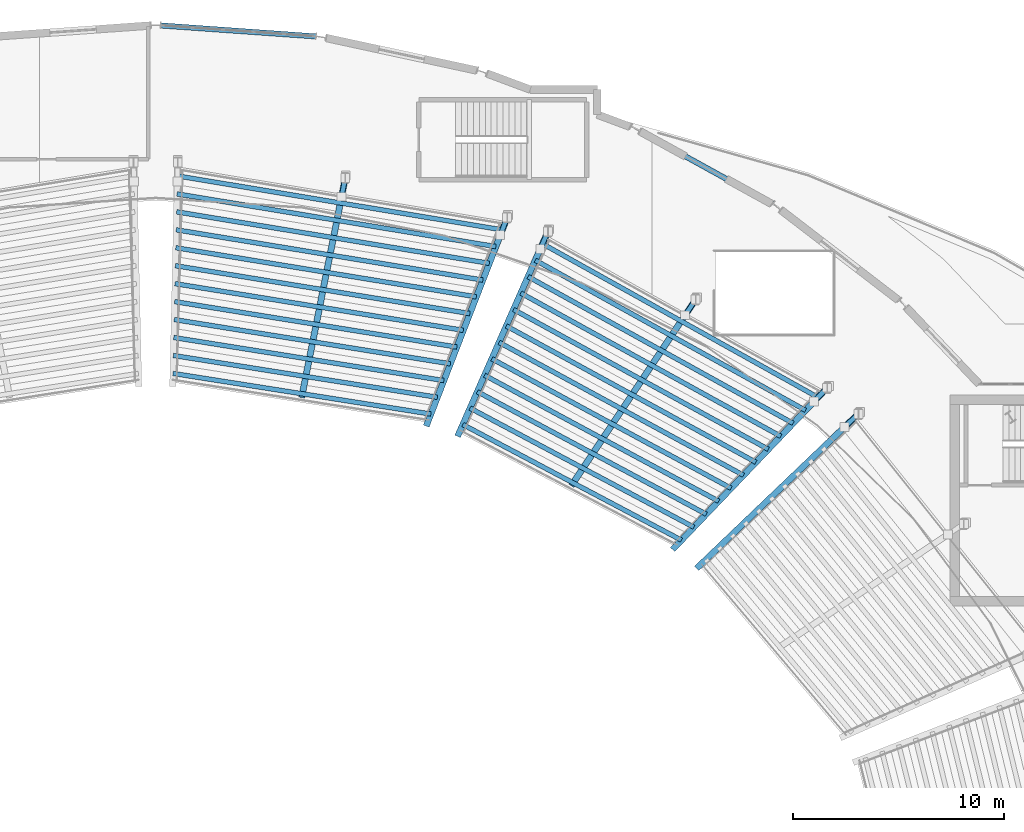
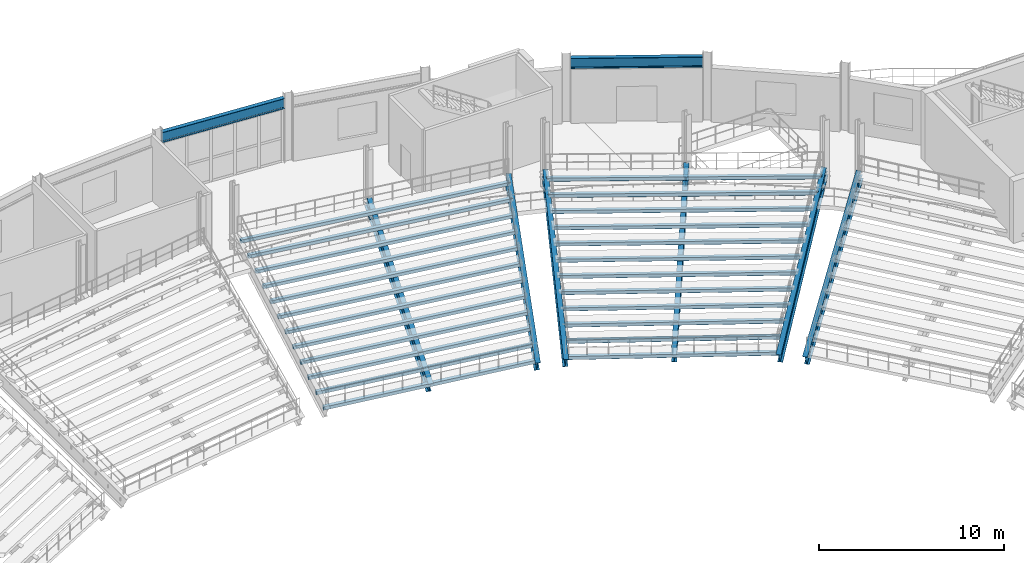
# One storey, part 38 of 81: 38 beams.
"""IFC4 building model written with IfcOpenShell, lengths in metres."""

from ifc_helpers import new_model, si_unit, direction, frame, origin, origin_2d, place, context, subcontext, project, spatial, rectangle, i_section, extrude, material, material_profile, profile_set, type_object, element, save


model = new_model("IFC4")

# Units and contexts
model_context = context("Model", 3, precision=1e-05, world=origin(), true_north=direction((0.0, 1.0)))
body_context = subcontext(model_context, "Body", "Model", "MODEL_VIEW")
ifc_project = project(units=[si_unit("LENGTHUNIT", "METRE"), si_unit("AREAUNIT", "SQUARE_METRE"), si_unit("VOLUMEUNIT", "CUBIC_METRE"), si_unit("PLANEANGLEUNIT", "RADIAN"), si_unit("MASSUNIT", "GRAM", prefix="KILO")], contexts=[model_context])

# Site, building, storey
site_placement = place(None, origin())
site = spatial("IfcSite", under=ifc_project, at=site_placement, CompositionType="ELEMENT")
building_placement = place(site_placement, origin())
building = spatial("IfcBuilding", under=site, at=building_placement, Name="Glasvene Arena", CompositionType="ELEMENT")
storey_placement = place(building_placement, frame((0.0, 0.0, 15.0)))
storey = spatial("IfcBuildingStorey", under=building, at=storey_placement, Name="L03", CompositionType="ELEMENT", Elevation=15.0)

# Beams
ifc_material_1 = material(Name="Steel S355J2", Category="steel")
ifc_material_profile_1 = material_profile(ifc_material_1, i_section(OverallWidth=0.228271484375, OverallDepth=0.607666015625, WebThickness=0.010986328125, FlangeThickness=0.017333984375, FilletRadius=0.0126953125, at=origin_2d()), Name="UKB 610x229x113")
ifc_profile_set_1 = profile_set([ifc_material_profile_1], Name="Steel S355J2")
beam_type_1 = type_object("IfcBeamType", Name="BM-GIRD-610", PredefinedType="BEAM", material=ifc_profile_set_1)
for number, where, z_axis, x_axis, name in (
    (1, (124.605712890625, 98.977294921875, 0.60498046875), (0.723078356625, 0.690766016955, 0.0), (-0.690766016955, 0.723078356625, 0.0), "Upper raker rear seat haunch girder RKS-02-3"),
    (2, (123.15869140625, 100.18359375, 0.60498046875), (0.691010672315, 0.722844555037, 0.0), (-0.722844555037, 0.691010672315, 0.0), "Upper raker rear seat haunch girder RKS-03-1"),
    (3, (117.05615234375, 104.26318359375, 0.544921875), (0.555528436112, 0.831497538584, 0.0), (-0.831497538584, 0.555528436112, 0.0), "Upper raker rear seat haunch girder RKS-03-2"),
    (4, (110.199951171875, 107.40234375, 0.60498046875), (0.403516463423, 0.914972384144, 0.0), (-0.914972384144, 0.403516463423, 0.0), "Upper raker rear seat haunch girder RKS-03-3"),
    (5, (108.30908203125, 108.055419921875, 0.60498046875), (0.361672228488, 0.932305314337, 0.0), (-0.932305314337, 0.361672228488, 0.0), "Upper raker rear seat haunch girder RKS-04-1"),
    (6, (100.798583984375, 109.87744140625, 0.544921875), (0.195057426987, 0.980791823058, 0.0), (-0.980791823058, 0.195057426987, 0.0), "Upper raker rear seat haunch girder RKS-04-2"),
):
    element("IfcBeam", number, at=place(storey_placement, frame(where, z_axis=z_axis, x_axis=x_axis)), inside=storey, type_object=beam_type_1, Name=name, PredefinedType="BEAM", context=body_context, shape_type="SweptSolid", body=[
        extrude(i_section(OverallWidth=0.228271484375, OverallDepth=0.607666015625, WebThickness=0.010986328125, FlangeThickness=0.017333984375, FilletRadius=0.0126953125, at=origin_2d()), origin(), (0.0, 0.0, 1.0), 1.02001953125),
    ])
ifc_material_profile_2 = material_profile(ifc_material_1, i_section(OverallWidth=0.253662109375, OverallDepth=0.68359375, WebThickness=0.012451171875, FlangeThickness=0.01904296875, FilletRadius=0.01513671875, at=origin_2d()), Name="UKB 686x254x140")
ifc_profile_set_2 = profile_set([ifc_material_profile_2], Name="Steel S355J2")
beam_type_2 = type_object("IfcBeamType", Name="BM-GIRD-686", PredefinedType="BEAM", material=ifc_profile_set_2)
beam_1_placement = place(storey_placement, frame((121.17919921875, 109.521728515625, 3.908203125), z_axis=(-0.875653765723, 0.482939419156, 0.0), x_axis=(-0.482939419156, -0.875653765723, 0.0)))
element("IfcBeam", 7, at=beam_1_placement, inside=storey, type_object=beam_type_2, Name="Bowl ring chord beam L03-07", PredefinedType="BEAM", context=body_context, shape_type="SweptSolid", body=[
    extrude(i_section(OverallWidth=0.253662109375, OverallDepth=0.68359375, WebThickness=0.012451171875, FlangeThickness=0.01904296875, FilletRadius=0.01513671875, at=origin_2d()), origin(), (0.0, 0.0, 1.0), 7.159912109375),
])
beam_2_placement = place(storey_placement, frame((99.582275390625, 117.462890625, 3.908203125), z_axis=(-0.997501616337, 0.070643650844, 0.0), x_axis=(-0.070643650844, -0.997501616337, 0.0)))
element("IfcBeam", 8, at=beam_2_placement, inside=storey, type_object=beam_type_2, Name="Bowl ring chord beam L03-10", PredefinedType="BEAM", context=body_context, shape_type="SweptSolid", body=[
    extrude(i_section(OverallWidth=0.253662109375, OverallDepth=0.68359375, WebThickness=0.012451171875, FlangeThickness=0.01904296875, FilletRadius=0.01513671875, at=origin_2d()), origin(), (0.0, 0.0, 1.0), 7.361083984375),
])
ifc_material_profile_3 = material_profile(ifc_material_1, i_section(OverallWidth=0.29248046875, OverallDepth=0.8408203125, WebThickness=0.0146484375, FlangeThickness=0.021728515625, FilletRadius=0.017822265625, at=origin_2d()), Name="UKB 838x292x194")
ifc_profile_set_3 = profile_set([ifc_material_profile_3], Name="Steel S355J2")
beam_type_3 = type_object("IfcBeamType", Name="Upper bowl raker", PredefinedType="USERDEFINED", material=ifc_profile_set_3)
beam_3_placement = place(storey_placement, frame((117.737548828125, 92.413818359375, -4.320068359375), z_axis=(0.643395546748, 0.614837792595, 0.456088433554), x_axis=(-0.690879858158, 0.722969585523, 0.0)))
element("IfcBeam", 9, at=beam_3_placement, inside=storey, type_object=beam_type_3, Name="Upper bowl cantilevered raker beam RKU-02-3", ObjectType="RAKER BEAM", PredefinedType="USERDEFINED", context=body_context, shape_type="SweptSolid", body=[
    extrude(i_section(OverallWidth=0.29248046875, OverallDepth=0.8408203125, WebThickness=0.0146484375, FlangeThickness=0.021728515625, FilletRadius=0.017822265625, at=origin_2d()), origin(), (0.0, 0.0, 1.0), 11.6865234375),
])
beam_4_placement = place(storey_placement, frame((116.595458984375, 93.3154296875, -4.320068359375), z_axis=(0.614833062929, 0.643391567755, 0.456100422354), x_axis=(-0.722970105975, 0.690879313532, 0.0)))
element("IfcBeam", 10, at=beam_4_placement, inside=storey, type_object=beam_type_3, Name="Upper bowl cantilevered raker beam RKU-03-1", ObjectType="RAKER BEAM", PredefinedType="USERDEFINED", context=body_context, shape_type="SweptSolid", body=[
    extrude(i_section(OverallWidth=0.29248046875, OverallDepth=0.8408203125, WebThickness=0.0146484375, FlangeThickness=0.021728515625, FilletRadius=0.017822265625, at=origin_2d()), origin(), (0.0, 0.0, 1.0), 11.686279296875),
])
beam_5_placement = place(storey_placement, frame((111.7783203125, 96.3642578125, -4.47998046875), z_axis=(0.492473636396, 0.737066517415, 0.462820339182), x_axis=(-0.831479234628, 0.555555831923, 0.0)))
element("IfcBeam", 11, at=beam_5_placement, inside=storey, type_object=beam_type_3, Name="Upper bowl cantilevered raker beam RKU-03-2", ObjectType="RAKER BEAM", PredefinedType="USERDEFINED", context=body_context, shape_type="SweptSolid", body=[
    extrude(i_section(OverallWidth=0.29248046875, OverallDepth=0.8408203125, WebThickness=0.0146484375, FlangeThickness=0.021728515625, FilletRadius=0.017822265625, at=origin_2d()), origin(), (0.0, 0.0, 1.0), 11.732177734375),
])
beam_6_placement = place(storey_placement, frame((106.3662109375, 98.71044921875, -4.320068359375), z_axis=(0.359125292214, 0.81424713578, 0.456103745179), x_axis=(-0.914959869018, 0.403544840242, 0.0)))
element("IfcBeam", 12, at=beam_6_placement, inside=storey, type_object=beam_type_3, Name="Upper bowl cantilevered raker beam RKU-03-3", ObjectType="RAKER BEAM", PredefinedType="USERDEFINED", context=body_context, shape_type="SweptSolid", body=[
    extrude(i_section(OverallWidth=0.29248046875, OverallDepth=0.8408203125, WebThickness=0.0146484375, FlangeThickness=0.021728515625, FilletRadius=0.017822265625, at=origin_2d()), origin(), (0.0, 0.0, 1.0), 11.68603515625),
])
beam_7_placement = place(storey_placement, frame((104.873779296875, 99.1982421875, -4.320068359375), z_axis=(0.321824936055, 0.829704586846, 0.456091009669), x_axis=(-0.932322385811, 0.361628219192, 0.0)))
element("IfcBeam", 13, at=beam_7_placement, inside=storey, type_object=beam_type_3, Name="Upper bowl cantilevered raker beam RKU-04-1", ObjectType="RAKER BEAM", PredefinedType="USERDEFINED", context=body_context, shape_type="SweptSolid", body=[
    extrude(i_section(OverallWidth=0.29248046875, OverallDepth=0.8408203125, WebThickness=0.0146484375, FlangeThickness=0.021728515625, FilletRadius=0.017822265625, at=origin_2d()), origin(), (0.0, 0.0, 1.0), 11.6865234375),
])
beam_8_placement = place(storey_placement, frame((98.9453125, 100.56005859375, -4.47998046875), z_axis=(0.172926721503, 0.869419786331, 0.46282349133), x_axis=(-0.980787789908, 0.19507770546, 0.0)))
element("IfcBeam", 14, at=beam_8_placement, inside=storey, type_object=beam_type_3, Name="Upper bowl cantilevered raker beam RKU-04-2", ObjectType="RAKER BEAM", PredefinedType="USERDEFINED", context=body_context, shape_type="SweptSolid", body=[
    extrude(i_section(OverallWidth=0.29248046875, OverallDepth=0.8408203125, WebThickness=0.0146484375, FlangeThickness=0.021728515625, FilletRadius=0.017822265625, at=origin_2d()), origin(), (0.0, 0.0, 1.0), 11.732177734375),
])
ifc_material_2 = material(Name="Precast concrete C50/60", Category="concrete")
ifc_material_profile_4 = material_profile(ifc_material_2, rectangle(XDim=0.219970703125, YDim=0.219970703125, at=origin_2d()), Name="RC 220x220")
ifc_profile_set_4 = profile_set([ifc_material_profile_4], Name="Precast concrete C50/60")
beam_type_4 = type_object("IfcBeamType", Name="BM-TIER-BEARER", PredefinedType="BEAM", material=ifc_profile_set_4)
beam_9_placement = place(storey_placement, frame((116.885498046875, 93.618896484375, -4.215087890625), z_axis=(-0.883920254226, 0.467637663335, 0.0), x_axis=(-0.467637663335, -0.883920254226, 0.0)))
element("IfcBeam", 15, at=beam_9_placement, inside=storey, type_object=beam_type_4, Name="Upper tier precast row bearer 03-R01", PredefinedType="BEAM", context=body_context, shape_type="SweptSolid", body=[
    extrude(rectangle(XDim=0.219970703125, YDim=0.219970703125, at=origin_2d()), origin(), (0.0, 0.0, 1.0), 11.708984375),
])
beam_10_placement = place(storey_placement, frame((117.472900390625, 94.2333984375, -3.735107421875), z_axis=(-0.882745126061, 0.469852149528, 0.0), x_axis=(-0.469852149528, -0.882745126061, 0.0)))
element("IfcBeam", 16, at=beam_10_placement, inside=storey, type_object=beam_type_4, Name="Upper tier precast row bearer 03-R02", PredefinedType="BEAM", context=body_context, shape_type="SweptSolid", body=[
    extrude(rectangle(XDim=0.219970703125, YDim=0.219970703125, at=origin_2d()), origin(), (0.0, 0.0, 1.0), 12.00146484375),
])
beam_11_placement = place(storey_placement, frame((118.06005859375, 94.84814453125, -3.2548828125), z_axis=(-0.881624591042, 0.471951353924, 0.0), x_axis=(-0.471951353924, -0.881624591042, 0.0)))
element("IfcBeam", 17, at=beam_11_placement, inside=storey, type_object=beam_type_4, Name="Upper tier precast row bearer 03-R03", PredefinedType="BEAM", context=body_context, shape_type="SweptSolid", body=[
    extrude(rectangle(XDim=0.219970703125, YDim=0.219970703125, at=origin_2d()), origin(), (0.0, 0.0, 1.0), 12.293701171875),
])
beam_12_placement = place(storey_placement, frame((118.647216796875, 95.462646484375, -2.77490234375), z_axis=(-0.880551437583, 0.47395059423, 0.0), x_axis=(-0.47395059423, -0.880551437583, 0.0)))
element("IfcBeam", 18, at=beam_12_placement, inside=storey, type_object=beam_type_4, Name="Upper tier precast row bearer 03-R04", PredefinedType="BEAM", context=body_context, shape_type="SweptSolid", body=[
    extrude(rectangle(XDim=0.219970703125, YDim=0.219970703125, at=origin_2d()), origin(), (0.0, 0.0, 1.0), 12.5859375),
])
beam_13_placement = place(storey_placement, frame((119.234619140625, 96.0771484375, -2.294921875), z_axis=(-0.879519123786, 0.475863542306, 0.0), x_axis=(-0.475863542306, -0.879519123786, 0.0)))
element("IfcBeam", 19, at=beam_13_placement, inside=storey, type_object=beam_type_4, Name="Upper tier precast row bearer 03-R05", PredefinedType="BEAM", context=body_context, shape_type="SweptSolid", body=[
    extrude(rectangle(XDim=0.219970703125, YDim=0.219970703125, at=origin_2d()), origin(), (0.0, 0.0, 1.0), 12.87841796875),
])
beam_14_placement = place(storey_placement, frame((119.82177734375, 96.691650390625, -1.81494140625), z_axis=(-0.878532352261, 0.477682850886, 0.0), x_axis=(-0.477682850886, -0.878532352261, 0.0)))
element("IfcBeam", 20, at=beam_14_placement, inside=storey, type_object=beam_type_4, Name="Upper tier precast row bearer 03-R06", PredefinedType="BEAM", context=body_context, shape_type="SweptSolid", body=[
    extrude(rectangle(XDim=0.219970703125, YDim=0.219970703125, at=origin_2d()), origin(), (0.0, 0.0, 1.0), 13.1708984375),
])
beam_15_placement = place(storey_placement, frame((120.4091796875, 97.30615234375, -1.3349609375), z_axis=(-0.877581457911, 0.47942755942, 0.0), x_axis=(-0.47942755942, -0.877581457911, 0.0)))
element("IfcBeam", 21, at=beam_15_placement, inside=storey, type_object=beam_type_4, Name="Upper tier precast row bearer 03-R07", PredefinedType="BEAM", context=body_context, shape_type="SweptSolid", body=[
    extrude(rectangle(XDim=0.219970703125, YDim=0.219970703125, at=origin_2d()), origin(), (0.0, 0.0, 1.0), 13.463623046875),
])
beam_16_placement = place(storey_placement, frame((120.996337890625, 97.920654296875, -0.85498046875), z_axis=(-0.87666368391, 0.481103715755, 0.0), x_axis=(-0.481103715755, -0.87666368391, 0.0)))
element("IfcBeam", 22, at=beam_16_placement, inside=storey, type_object=beam_type_4, Name="Upper tier precast row bearer 03-R08", PredefinedType="BEAM", context=body_context, shape_type="SweptSolid", body=[
    extrude(rectangle(XDim=0.219970703125, YDim=0.219970703125, at=origin_2d()), origin(), (0.0, 0.0, 1.0), 13.756103515625),
])
beam_17_placement = place(storey_placement, frame((121.58349609375, 98.53515625, -0.375), z_axis=(-0.87578848276, 0.482695072965, 0.0), x_axis=(-0.482695072965, -0.87578848276, 0.0)))
element("IfcBeam", 23, at=beam_17_placement, inside=storey, type_object=beam_type_4, Name="Upper tier precast row bearer 03-R09", PredefinedType="BEAM", context=body_context, shape_type="SweptSolid", body=[
    extrude(rectangle(XDim=0.219970703125, YDim=0.219970703125, at=origin_2d()), origin(), (0.0, 0.0, 1.0), 14.048828125),
])
beam_18_placement = place(storey_placement, frame((122.1708984375, 99.149658203125, 0.10498046875), z_axis=(-0.874950263703, 0.484212800373, 0.0), x_axis=(-0.484212800373, -0.874950263703, 0.0)))
element("IfcBeam", 24, at=beam_18_placement, inside=storey, type_object=beam_type_4, Name="Upper tier precast row bearer 03-R10", PredefinedType="BEAM", context=body_context, shape_type="SweptSolid", body=[
    extrude(rectangle(XDim=0.219970703125, YDim=0.219970703125, at=origin_2d()), origin(), (0.0, 0.0, 1.0), 14.341552734375),
])
beam_19_placement = place(storey_placement, frame((122.758056640625, 99.76416015625, 0.5849609375), z_axis=(-0.874132093263, 0.485688257556, 0.0), x_axis=(-0.485688257556, -0.874132093263, 0.0)))
element("IfcBeam", 25, at=beam_19_placement, inside=storey, type_object=beam_type_4, Name="Upper tier precast row bearer 03-R11", PredefinedType="BEAM", context=body_context, shape_type="SweptSolid", body=[
    extrude(rectangle(XDim=0.219970703125, YDim=0.219970703125, at=origin_2d()), origin(), (0.0, 0.0, 1.0), 14.63427734375),
])
beam_20_placement = place(storey_placement, frame((123.34521484375, 100.37890625, 1.06494140625), z_axis=(-0.873357585643, 0.487079590622, 0.0), x_axis=(-0.487079590622, -0.873357585643, 0.0)))
element("IfcBeam", 26, at=beam_20_placement, inside=storey, type_object=beam_type_4, Name="Upper tier precast row bearer 03-R12", PredefinedType="BEAM", context=body_context, shape_type="SweptSolid", body=[
    extrude(rectangle(XDim=0.219970703125, YDim=0.219970703125, at=origin_2d()), origin(), (0.0, 0.0, 1.0), 14.9267578125),
])
beam_21_placement = place(storey_placement, frame((105.025634765625, 99.58984375, -4.215087890625), z_axis=(-0.9878227954, 0.15558317675, 0.0), x_axis=(-0.15558317675, -0.9878227954, 0.0)))
element("IfcBeam", 27, at=beam_21_placement, inside=storey, type_object=beam_type_4, Name="Upper tier precast row bearer 04-R01", PredefinedType="BEAM", context=body_context, shape_type="SweptSolid", body=[
    extrude(rectangle(XDim=0.219970703125, YDim=0.219970703125, at=origin_2d()), origin(), (0.0, 0.0, 1.0), 12.35888671875),
])
beam_22_placement = place(storey_placement, frame((105.3330078125, 100.38232421875, -3.735107421875), z_axis=(-0.987679591572, 0.156489694206, 0.0), x_axis=(-0.156489694206, -0.987679591572, 0.0)))
element("IfcBeam", 28, at=beam_22_placement, inside=storey, type_object=beam_type_4, Name="Upper tier precast row bearer 04-R02", PredefinedType="BEAM", context=body_context, shape_type="SweptSolid", body=[
    extrude(rectangle(XDim=0.219970703125, YDim=0.219970703125, at=origin_2d()), origin(), (0.0, 0.0, 1.0), 12.65234375),
])
beam_23_placement = place(storey_placement, frame((105.640380859375, 101.1748046875, -3.2548828125), z_axis=(-0.987539173577, 0.157373379741, 0.0), x_axis=(-0.157373379741, -0.987539173577, 0.0)))
element("IfcBeam", 29, at=beam_23_placement, inside=storey, type_object=beam_type_4, Name="Upper tier precast row bearer 04-R03", PredefinedType="BEAM", context=body_context, shape_type="SweptSolid", body=[
    extrude(rectangle(XDim=0.219970703125, YDim=0.219970703125, at=origin_2d()), origin(), (0.0, 0.0, 1.0), 12.946044921875),
])
beam_24_placement = place(storey_placement, frame((105.947998046875, 101.96728515625, -2.77490234375), z_axis=(-0.98740470459, 0.158214883474, 0.0), x_axis=(-0.158214883474, -0.98740470459, 0.0)))
element("IfcBeam", 30, at=beam_24_placement, inside=storey, type_object=beam_type_4, Name="Upper tier precast row bearer 04-R04", PredefinedType="BEAM", context=body_context, shape_type="SweptSolid", body=[
    extrude(rectangle(XDim=0.219970703125, YDim=0.219970703125, at=origin_2d()), origin(), (0.0, 0.0, 1.0), 13.23974609375),
])
beam_25_placement = place(storey_placement, frame((106.255126953125, 102.759765625, -2.294921875), z_axis=(-0.987274490063, 0.159025410772, 0.0), x_axis=(-0.159025410772, -0.987274490063, 0.0)))
element("IfcBeam", 31, at=beam_25_placement, inside=storey, type_object=beam_type_4, Name="Upper tier precast row bearer 04-R05", PredefinedType="BEAM", context=body_context, shape_type="SweptSolid", body=[
    extrude(rectangle(XDim=0.219970703125, YDim=0.219970703125, at=origin_2d()), origin(), (0.0, 0.0, 1.0), 13.532958984375),
])
beam_26_placement = place(storey_placement, frame((106.5625, 103.55224609375, -1.81494140625), z_axis=(-0.987149627401, 0.159798664329, 0.0), x_axis=(-0.159798664329, -0.987149627401, 0.0)))
element("IfcBeam", 32, at=beam_26_placement, inside=storey, type_object=beam_type_4, Name="Upper tier precast row bearer 04-R06", PredefinedType="BEAM", context=body_context, shape_type="SweptSolid", body=[
    extrude(rectangle(XDim=0.219970703125, YDim=0.219970703125, at=origin_2d()), origin(), (0.0, 0.0, 1.0), 13.82666015625),
])
beam_27_placement = place(storey_placement, frame((106.8701171875, 104.3447265625, -1.3349609375), z_axis=(-0.987032573185, 0.160520090554, 0.0), x_axis=(-0.160520090554, -0.987032573185, 0.0)))
element("IfcBeam", 33, at=beam_27_placement, inside=storey, type_object=beam_type_4, Name="Upper tier precast row bearer 04-R07", PredefinedType="BEAM", context=body_context, shape_type="SweptSolid", body=[
    extrude(rectangle(XDim=0.219970703125, YDim=0.219970703125, at=origin_2d()), origin(), (0.0, 0.0, 1.0), 14.120361328125),
])
beam_28_placement = place(storey_placement, frame((107.177490234375, 105.13720703125, -0.85498046875), z_axis=(-0.986916659435, 0.161231223182, 0.0), x_axis=(-0.161231223182, -0.986916659435, 0.0)))
element("IfcBeam", 34, at=beam_28_placement, inside=storey, type_object=beam_type_4, Name="Upper tier precast row bearer 04-R08", PredefinedType="BEAM", context=body_context, shape_type="SweptSolid", body=[
    extrude(rectangle(XDim=0.219970703125, YDim=0.219970703125, at=origin_2d()), origin(), (0.0, 0.0, 1.0), 14.413818359375),
])
beam_29_placement = place(storey_placement, frame((107.48486328125, 105.9296875, -0.375), z_axis=(-0.986807543106, 0.161897723483, 0.0), x_axis=(-0.161897723483, -0.986807543106, 0.0)))
element("IfcBeam", 35, at=beam_29_placement, inside=storey, type_object=beam_type_4, Name="Upper tier precast row bearer 04-R09", PredefinedType="BEAM", context=body_context, shape_type="SweptSolid", body=[
    extrude(rectangle(XDim=0.219970703125, YDim=0.219970703125, at=origin_2d()), origin(), (0.0, 0.0, 1.0), 14.70751953125),
])
beam_30_placement = place(storey_placement, frame((107.7919921875, 106.72216796875, 0.10498046875), z_axis=(-0.986699232746, 0.162556525858, 0.0), x_axis=(-0.162556525858, -0.986699232746, 0.0)))
element("IfcBeam", 36, at=beam_30_placement, inside=storey, type_object=beam_type_4, Name="Upper tier precast row bearer 04-R10", PredefinedType="BEAM", context=body_context, shape_type="SweptSolid", body=[
    extrude(rectangle(XDim=0.219970703125, YDim=0.219970703125, at=origin_2d()), origin(), (0.0, 0.0, 1.0), 15.000732421875),
])
beam_31_placement = place(storey_placement, frame((108.099609375, 107.5146484375, 0.5849609375), z_axis=(-0.986595512486, 0.163184848385, 0.0), x_axis=(-0.163184848385, -0.986595512486, 0.0)))
element("IfcBeam", 37, at=beam_31_placement, inside=storey, type_object=beam_type_4, Name="Upper tier precast row bearer 04-R11", PredefinedType="BEAM", context=body_context, shape_type="SweptSolid", body=[
    extrude(rectangle(XDim=0.219970703125, YDim=0.219970703125, at=origin_2d()), origin(), (0.0, 0.0, 1.0), 15.294677734375),
])
beam_32_placement = place(storey_placement, frame((108.406982421875, 108.30712890625, 1.06494140625), z_axis=(-0.98649490435, 0.163791952462, 0.0), x_axis=(-0.163791952462, -0.98649490435, 0.0)))
element("IfcBeam", 38, at=beam_32_placement, inside=storey, type_object=beam_type_4, Name="Upper tier precast row bearer 04-R12", PredefinedType="BEAM", context=body_context, shape_type="SweptSolid", body=[
    extrude(rectangle(XDim=0.219970703125, YDim=0.219970703125, at=origin_2d()), origin(), (0.0, 0.0, 1.0), 15.588134765625),
])

save(model, "model.ifc")
